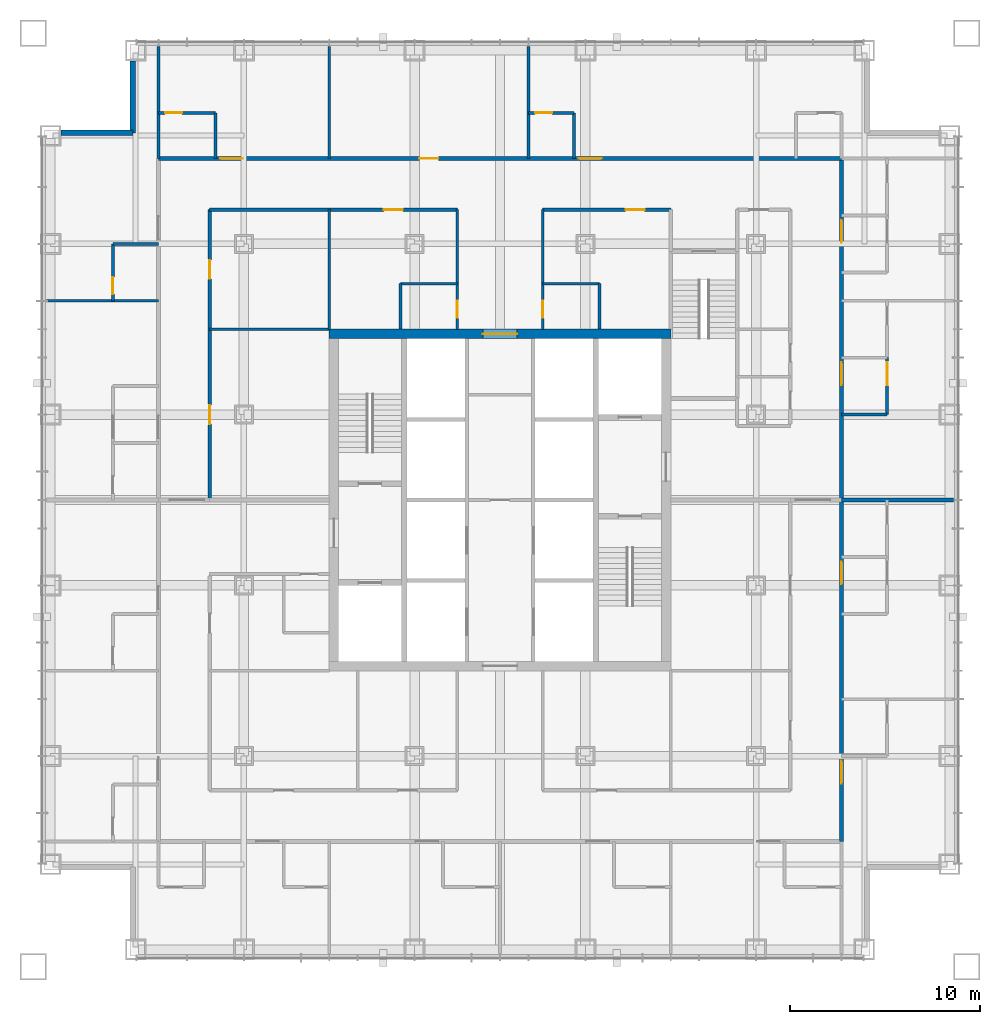
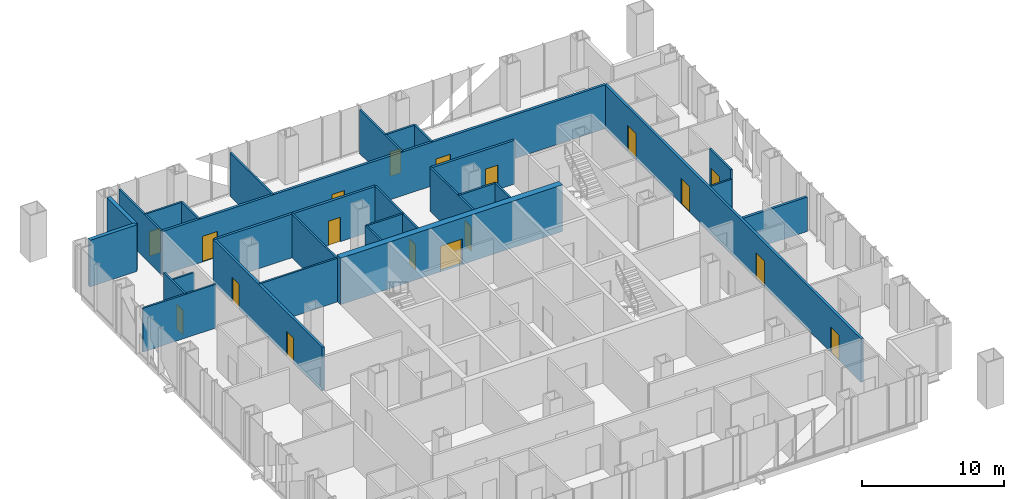
# One storey, part 11 of 13: 29 walls, 18 doors, 18 openings.
"""IFC4 building model written with IfcOpenShell, lengths in metres."""

import ifcopenshell
import ifcopenshell.guid

model = None  # the IFC model being written
_history = None  # IfcOwnerHistory: only IFC2X3 demands one
_inside = {}  # id of a spatial element -> (the spatial element, [elements in it])
_under = {}  # id of a project, library or spatial element -> (it, [spatial elements below it])
_declared = {}  # id of a project -> (the project, [libraries it declares])
_typed = {}  # id of a type object -> (the type object, [elements of that type])
_made_of = {}  # id of a material, layer set ... -> (it, [elements and type objects made of it])


def new_model(schema):
    """Start an empty IFC model of exactly this schema.

    Asked for "IFC4X3", IfcOpenShell would pick the latest addendum, in which some entities
    have other attributes; the version numbers below select the first issue.
    IFC2X3 requires an IfcOwnerHistory on every rooted entity: one is made here for all.
    """
    global model, _history
    if schema == "IFC4X3":
        model = ifcopenshell.file(schema_version=(4, 3, 0, 0))
    else:
        model = ifcopenshell.file(schema=schema)
    _inside.clear()
    _under.clear()
    _declared.clear()
    _typed.clear()
    _made_of.clear()
    _history = None
    if model.schema == "IFC2X3":
        org = make("IfcOrganization", Name="unknown")
        user = make(
            "IfcPersonAndOrganization",
            ThePerson=make("IfcPerson", FamilyName="unknown"),
            TheOrganization=org,
        )
        app = make(
            "IfcApplication",
            ApplicationDeveloper=org,
            Version="unknown",
            ApplicationFullName="unknown",
            ApplicationIdentifier="unknown",
        )
        _history = make(
            "IfcOwnerHistory",
            OwningUser=user,
            OwningApplication=app,
            ChangeAction="ADDED",
            CreationDate=0,
        )
    return model


def make(cls, **values):
    """One entity of the class cls with the attributes given. An attribute that is None is left unset."""
    return model.create_entity(
        cls, **{name: value for name, value in values.items() if value is not None}
    )


def rooted(cls, **values):
    """An entity with a GlobalId (a new one), such as an element, a storey or a relation."""
    return make(cls, GlobalId=ifcopenshell.guid.new(), OwnerHistory=_history, **values)


def si_unit(unit_type, name, prefix=None):
    """IfcSIUnit, for example si_unit("LENGTHUNIT", "METRE", prefix="MILLI")."""
    return make("IfcSIUnit", UnitType=unit_type, Prefix=prefix, Name=name)


def assignment(units):
    """IfcUnitAssignment: the units of a project."""
    return None if units is None else make("IfcUnitAssignment", Units=units)


def point(xyz):
    """IfcCartesianPoint."""
    return None if xyz is None else make("IfcCartesianPoint", Coordinates=xyz)


def direction(xyz):
    """IfcDirection."""
    return None if xyz is None else make("IfcDirection", DirectionRatios=xyz)


def frame(location, z_axis=None, x_axis=None):
    """IfcAxis2Placement3D, a coordinate frame: its origin and axes. An axis left out is left unset."""
    return make(
        "IfcAxis2Placement3D",
        Location=point(location),
        Axis=direction(z_axis),
        RefDirection=direction(x_axis),
    )


def frame_2d(location, x_axis=None):
    """IfcAxis2Placement2D, a coordinate frame in the plane: its origin and x axis."""
    return make(
        "IfcAxis2Placement2D", Location=point(location), RefDirection=direction(x_axis)
    )


def origin():
    """The frame at (0, 0, 0) with its axes left unset."""
    return frame((0.0, 0.0, 0.0))


def place(relative_to, where):
    """IfcLocalPlacement: puts the frame where relative to a parent placement (None: the world)."""
    return make(
        "IfcLocalPlacement", PlacementRelTo=relative_to, RelativePlacement=where
    )


def context(
    kind, dimensions, precision=None, world=None, true_north=None, identifier=None
):
    """IfcGeometricRepresentationContext, for example the 3D "Model" context."""
    return make(
        "IfcGeometricRepresentationContext",
        ContextIdentifier=identifier,
        ContextType=kind,
        CoordinateSpaceDimension=dimensions,
        Precision=precision,
        WorldCoordinateSystem=world,
        TrueNorth=true_north,
    )


def subcontext(parent, identifier, kind, view, scale=None):
    """IfcGeometricRepresentationSubContext, for example "Body" below "Model"."""
    return make(
        "IfcGeometricRepresentationSubContext",
        ContextIdentifier=identifier,
        ContextType=kind,
        ParentContext=parent,
        TargetScale=scale,
        TargetView=view,
    )


def project(units=None, contexts=None):
    """IfcProject with its units and contexts."""
    return rooted(
        "IfcProject",
        Name="project",
        RepresentationContexts=contexts,
        UnitsInContext=assignment(units),
    )


def spatial(cls, under=None, at=None, **own):
    """A site, building, storey or space (cls), placed at a placement, below another one or the project."""
    s = rooted(cls, ObjectPlacement=at, **own)
    if under is not None:
        _under.setdefault(under.id(), (under, []))[1].append(s)
    return s


def profile(cls, at=None, kind="AREA", **sizes):
    """A parametric profile (cls). Its sizes go by their IFC names, for example OverallWidth=200.0."""
    return make(cls, ProfileType=kind, Position=at, **sizes)


def rectangle(**sizes):
    """IfcRectangleProfileDef."""
    return profile("IfcRectangleProfileDef", **sizes)


def extrude(swept, where, along, depth):
    """IfcExtrudedAreaSolid: the profile swept, set in the frame where, extruded along a direction by depth."""
    return make(
        "IfcExtrudedAreaSolid",
        SweptArea=swept,
        Position=where,
        ExtrudedDirection=direction(along),
        Depth=depth,
    )


def shape(context_of_items, identifier, shape_type, items):
    """IfcShapeRepresentation: the items that make up one representation, for example the "Body"."""
    return make(
        "IfcShapeRepresentation",
        ContextOfItems=context_of_items,
        RepresentationIdentifier=identifier,
        RepresentationType=shape_type,
        Items=items,
    )


def material(Name=None, Category=None):
    """IfcMaterial."""
    return make("IfcMaterial", Name=Name, Category=Category)


def layer(
    of_material, thickness, ventilated=None, Name=None, Category=None, Priority=None
):
    """IfcMaterialLayer: one layer of a wall or slab, of a material (None: an air gap)."""
    return make(
        "IfcMaterialLayer",
        Material=of_material,
        LayerThickness=thickness,
        IsVentilated=ventilated,
        Name=Name,
        Category=Category,
        Priority=Priority,
    )


def layer_set(layers, Name=None):
    """IfcMaterialLayerSet."""
    return make("IfcMaterialLayerSet", MaterialLayers=layers, LayerSetName=Name)


def made_of(thing, what):
    """Note that an element or type object is made of a material, layer set ...; save() writes the relation."""
    if what is not None:
        _made_of.setdefault(what.id(), (what, []))[1].append(thing)
    return thing


def type_object(cls, material=None, **own):
    """A type object (cls), such as IfcWallType, which elements share."""
    return made_of(rooted(cls, **own), material)


def element(
    cls,
    number,
    at=None,
    inside=None,
    cuts=None,
    type_object=None,
    material=None,
    context=None,
    identifier="Body",
    shape_type=None,
    held_by="IfcProductDefinitionShape",
    body=None,
    shapes=None,
    **own,
):
    """One element of the class cls, such as IfcWall. Its Tag is "e" and its number.

    at: its placement. inside: the storey or other place that contains it. cuts: it is an
    opening in that element (IfcRelVoidsElement). A single representation is given by context,
    identifier, shape_type and body (its items); several are given by shapes. held_by: the class
    of the entity that holds the representations. save() writes the other relations.
    """
    e = rooted(cls, Tag="e%d" % number, ObjectPlacement=at, **own)
    if body is not None:
        shapes = [shape(context, identifier, shape_type, body)]
    if shapes is not None:
        e.Representation = make(held_by, Representations=shapes)
    if inside is not None:
        _inside.setdefault(inside.id(), (inside, []))[1].append(e)
    if cuts is not None:
        rooted(
            "IfcRelVoidsElement", RelatingBuildingElement=cuts, RelatedOpeningElement=e
        )
    if type_object is not None:
        _typed.setdefault(type_object.id(), (type_object, []))[1].append(e)
    return made_of(e, material)


def fill(opening, filler):
    """IfcRelFillsElement: the door or window that sits in an opening."""
    return rooted(
        "IfcRelFillsElement",
        RelatingOpeningElement=opening,
        RelatedBuildingElement=filler,
    )


def aggregate(whole, parts):
    """IfcRelAggregates: a whole, such as a stair, and the parts it consists of."""
    return rooted("IfcRelAggregates", RelatingObject=whole, RelatedObjects=parts)


def save(model, path):
    """Write the relations noted so far, then the file.

    IfcRelAggregates (storeys below a building ...), IfcRelContainedInSpatialStructure (elements
    in a storey), IfcRelDefinesByType, IfcRelAssociatesMaterial and IfcRelDeclares: one each for
    every whole, place, type object, material and project.
    """
    for whole, parts in _under.values():
        aggregate(whole, parts)
    for where, things in _inside.values():
        rooted(
            "IfcRelContainedInSpatialStructure",
            RelatedElements=things,
            RelatingStructure=where,
        )
    for kind, things in _typed.values():
        rooted("IfcRelDefinesByType", RelatedObjects=things, RelatingType=kind)
    for what, things in _made_of.values():
        rooted("IfcRelAssociatesMaterial", RelatedObjects=things, RelatingMaterial=what)
    for by, libraries in _declared.values():
        rooted("IfcRelDeclares", RelatingContext=by, RelatedDefinitions=libraries)
    model.write(path)


model = new_model("IFC4")

# Units and contexts
model_context = context("Model", 3, precision=1e-05, world=origin(), true_north=direction((0.0, 1.0)))
body_context = subcontext(model_context, "Body", "Model", "MODEL_VIEW")
ifc_project = project(units=[si_unit("LENGTHUNIT", "METRE"), si_unit("AREAUNIT", "SQUARE_METRE"), si_unit("VOLUMEUNIT", "CUBIC_METRE"), si_unit("PLANEANGLEUNIT", "RADIAN"), si_unit("MASSUNIT", "GRAM", prefix="KILO")], contexts=[model_context])

# Site, building, storey
site_placement = place(None, origin())
site = spatial("IfcSite", under=ifc_project, at=site_placement, CompositionType="ELEMENT")
building_placement = place(site_placement, origin())
building = spatial("IfcBuilding", under=site, at=building_placement, Name="Malebo Sky Hospital", CompositionType="ELEMENT")
storey_placement = place(building_placement, frame((0.0, 0.0, 160.0)))
storey = spatial("IfcBuildingStorey", under=building, at=storey_placement, Name="L38", CompositionType="ELEMENT", Elevation=160.0)

# Wall, opening, door
ifc_material_1 = material(Name="Concrete C80/95", Category="concrete")
ifc_layer_1 = layer(ifc_material_1, 0.5)
ifc_layer_set_1 = layer_set([ifc_layer_1], Name="CORE WALL 500")
wall_type_1 = type_object("IfcWallType", Name="CORE WALL 500", PredefinedType="SHEAR", material=ifc_layer_set_1)
wall_1_placement = place(storey_placement, frame((51.0, 70.75, 0.0), z_axis=(0.0, 0.0, 1.0), x_axis=(1.0, 0.0, 0.0)))
wall_1 = element("IfcWall", 1, at=wall_1_placement, inside=storey, type_object=wall_type_1, Name="Core wall N L38", PredefinedType="SHEAR", context=body_context, shape_type="SweptSolid", body=[
    extrude(rectangle(XDim=18.0, YDim=0.5, at=frame_2d((9.0, 0.0))), origin(), (0.0, 0.0, 1.0), 4.0),
])
opening_1_placement = place(wall_1_placement, frame((8.10009765625, 0.0, 0.0)))
opening_1 = element("IfcOpeningElement", 2, at=opening_1_placement, cuts=wall_1, Name="Opening D06", PredefinedType="OPENING", context=body_context, shape_type="SweptSolid", body=[
    extrude(rectangle(XDim=1.800048828125, YDim=2.199951171875, at=frame_2d((0.89990234375, 1.10009765625))), frame((0.0, 0.260009765625, 0.0), z_axis=(0.0, -1.0, 0.0), x_axis=(1.0, 0.0, 0.0)), (0.0, 0.0, 1.0), 0.52001953125),
])
ifc_material_2 = material(Name="Hardwood-faced door leaf in steel frame", Category="steel")
door_type_1 = type_object("IfcDoorType", Name="LOBBY DOOR PAIR 1800", OperationType="DOUBLE_DOOR_SINGLE_SWING", PredefinedType="DOOR", material=ifc_material_2)
door_1_placement = place(opening_1_placement, origin())
door_1 = element("IfcDoor", 3, at=door_1_placement, inside=storey, type_object=door_type_1, Name="vending room door north", OperationType="DOUBLE_DOOR_SINGLE_SWING", OverallHeight=2.199951171875, OverallWidth=1.800048828125, PredefinedType="DOOR", context=body_context, shape_type="SweptSolid", body=[
    extrude(rectangle(XDim=1.800048828125, YDim=2.199951171875, at=frame_2d((0.89990234375, 1.10009765625))), frame((0.0, 0.02490234375, 0.0), z_axis=(0.0, -1.0, 0.0), x_axis=(1.0, 0.0, 0.0)), (0.0, 0.0, 1.0), 0.050048828125),
])
fill(opening_1, door_1)

# Wall, openings, doors
ifc_material_3 = material(Name="Gypsum board on steel studs", Category="steel")
ifc_layer_2 = layer(ifc_material_3, 0.199951171875)
ifc_layer_set_2 = layer_set([ifc_layer_2], Name="CORRIDOR WALL 200")
wall_type_2 = type_object("IfcWallType", Name="CORRIDOR WALL 200", PredefinedType="PARTITIONING", material=ifc_layer_set_2)
wall_2_placement = place(storey_placement, frame((42.0, 80.0, 0.0), z_axis=(0.0, 0.0, 1.0), x_axis=(1.0, 0.0, 0.0)))
wall_2 = element("IfcWall", 4, at=wall_2_placement, inside=storey, type_object=wall_type_2, Name="Corridor Wall 200 NCO", PredefinedType="PARTITIONING", context=body_context, shape_type="SweptSolid", body=[
    extrude(rectangle(XDim=36.0, YDim=0.199951171875, at=frame_2d((18.0, 0.0))), origin(), (0.0, 0.0, 1.0), 3.75),
])
opening_2_placement = place(wall_2_placement, frame((3.25, 0.0, 0.0)))
opening_2 = element("IfcOpeningElement", 5, at=opening_2_placement, cuts=wall_2, Name="Opening D01", PredefinedType="OPENING", context=body_context, shape_type="SweptSolid", body=[
    extrude(rectangle(XDim=1.199951171875, YDim=2.199951171875, at=frame_2d((0.60009765625, 1.10009765625))), frame((0.0, 0.10986328125, 0.0), z_axis=(0.0, -1.0, 0.0), x_axis=(1.0, 0.0, 0.0)), (0.0, 0.0, 1.0), 0.219970703125),
])
opening_3_placement = place(wall_2_placement, frame((13.75, 0.0, 0.0)))
opening_3 = element("IfcOpeningElement", 6, at=opening_3_placement, cuts=wall_2, Name="Opening D03", PredefinedType="OPENING", context=body_context, shape_type="SweptSolid", body=[
    extrude(rectangle(XDim=1.0, YDim=2.10009765625, at=frame_2d((0.5, 1.050048828125))), frame((0.0, 0.10986328125, 0.0), z_axis=(0.0, -1.0, 0.0), x_axis=(1.0, 0.0, 0.0)), (0.0, 0.0, 1.0), 0.219970703125),
])
opening_4_placement = place(wall_2_placement, frame((22.14990234375, 0.0, 0.0)))
opening_4 = element("IfcOpeningElement", 7, at=opening_4_placement, cuts=wall_2, Name="Opening D01", PredefinedType="OPENING", context=body_context, shape_type="SweptSolid", body=[
    extrude(rectangle(XDim=1.199951171875, YDim=2.199951171875, at=frame_2d((0.60009765625, 1.10009765625))), frame((0.0, 0.10986328125, 0.0), z_axis=(0.0, -1.0, 0.0), x_axis=(1.0, 0.0, 0.0)), (0.0, 0.0, 1.0), 0.219970703125),
])
door_type_2 = type_object("IfcDoorType", Name="BED DOOR 1200", OperationType="SINGLE_SWING_LEFT", PredefinedType="DOOR", material=ifc_material_2)
door_2_placement = place(opening_2_placement, origin())
door_2 = element("IfcDoor", 8, at=door_2_placement, inside=storey, type_object=door_type_2, Name="Two-bed room door", OperationType="SINGLE_SWING_LEFT", OverallHeight=2.199951171875, OverallWidth=1.199951171875, PredefinedType="DOOR", context=body_context, shape_type="SweptSolid", body=[
    extrude(rectangle(XDim=1.199951171875, YDim=2.199951171875, at=frame_2d((0.60009765625, 1.10009765625))), frame((0.0, 0.02490234375, 0.0), z_axis=(0.0, -1.0, 0.0), x_axis=(1.0, 0.0, 0.0)), (0.0, 0.0, 1.0), 0.050048828125),
])
fill(opening_2, door_2)
door_3_placement = place(opening_4_placement, origin())
door_3 = element("IfcDoor", 9, at=door_3_placement, inside=storey, type_object=door_type_2, Name="Four-bed bay door", OperationType="SINGLE_SWING_LEFT", OverallHeight=2.199951171875, OverallWidth=1.199951171875, PredefinedType="DOOR", context=body_context, shape_type="SweptSolid", body=[
    extrude(rectangle(XDim=1.199951171875, YDim=2.199951171875, at=frame_2d((0.60009765625, 1.10009765625))), frame((0.0, 0.02490234375, 0.0), z_axis=(0.0, -1.0, 0.0), x_axis=(1.0, 0.0, 0.0)), (0.0, 0.0, 1.0), 0.050048828125),
])
fill(opening_4, door_3)
door_type_3 = type_object("IfcDoorType", Name="ROOM DOOR 1000", OperationType="SINGLE_SWING_LEFT", PredefinedType="DOOR", material=ifc_material_2)
door_4_placement = place(opening_3_placement, origin())
door_4 = element("IfcDoor", 10, at=door_4_placement, inside=storey, type_object=door_type_3, Name="Patient lounge door", OperationType="SINGLE_SWING_LEFT", OverallHeight=2.10009765625, OverallWidth=1.0, PredefinedType="DOOR", context=body_context, shape_type="SweptSolid", body=[
    extrude(rectangle(XDim=1.0, YDim=2.10009765625, at=frame_2d((0.5, 1.050048828125))), frame((0.0, 0.02490234375, 0.0), z_axis=(0.0, -1.0, 0.0), x_axis=(1.0, 0.0, 0.0)), (0.0, 0.0, 1.0), 0.050048828125),
])
fill(opening_3, door_4)

# Wall, opening, door
wall_3_placement = place(storey_placement, frame((44.699951171875, 77.300048828125, 0.0), z_axis=(0.0, 0.0, 1.0), x_axis=(1.0, 0.0, 0.0)))
wall_3 = element("IfcWall", 11, at=wall_3_placement, inside=storey, type_object=wall_type_2, Name="Corridor Wall 200 NCI1", PredefinedType="PARTITIONING", context=body_context, shape_type="SweptSolid", body=[
    extrude(rectangle(XDim=13.050048828125, YDim=0.199951171875, at=frame_2d((6.52490234375, 0.0))), origin(), (0.0, 0.0, 1.0), 3.75),
])
opening_5_placement = place(wall_3_placement, frame((9.175048828125, 0.0, 0.0)))
opening_5 = element("IfcOpeningElement", 12, at=opening_5_placement, cuts=wall_3, Name="Opening D03", PredefinedType="OPENING", context=body_context, shape_type="SweptSolid", body=[
    extrude(rectangle(XDim=1.0, YDim=2.10009765625, at=frame_2d((0.5, 1.050048828125))), frame((0.0, 0.10986328125, 0.0), z_axis=(0.0, -1.0, 0.0), x_axis=(1.0, 0.0, 0.0)), (0.0, 0.0, 1.0), 0.219970703125),
])
door_5_placement = place(opening_5_placement, origin())
door_5 = element("IfcDoor", 13, at=door_5_placement, inside=storey, type_object=door_type_3, Name="Clean utility room door", OperationType="SINGLE_SWING_LEFT", OverallHeight=2.10009765625, OverallWidth=1.0, PredefinedType="DOOR", context=body_context, shape_type="SweptSolid", body=[
    extrude(rectangle(XDim=1.0, YDim=2.10009765625, at=frame_2d((0.5, 1.050048828125))), frame((0.0, 0.02490234375, 0.0), z_axis=(0.0, -1.0, 0.0), x_axis=(1.0, 0.0, 0.0)), (0.0, 0.0, 1.0), 0.050048828125),
])
fill(opening_5, door_5)

wall_4_placement = place(storey_placement, frame((62.25, 77.300048828125, 0.0), z_axis=(0.0, 0.0, 1.0), x_axis=(1.0, 0.0, 0.0)))
wall_4 = element("IfcWall", 14, at=wall_4_placement, inside=storey, type_object=wall_type_2, Name="Corridor Wall 200 NCI2", PredefinedType="PARTITIONING", context=body_context, shape_type="SweptSolid", body=[
    extrude(rectangle(XDim=6.75, YDim=0.199951171875, at=frame_2d((3.375, 0.0))), origin(), (0.0, 0.0, 1.0), 3.75),
])
opening_6_placement = place(wall_4_placement, frame((4.375, 0.0, 0.0)))
opening_6 = element("IfcOpeningElement", 15, at=opening_6_placement, cuts=wall_4, Name="Opening D03", PredefinedType="OPENING", context=body_context, shape_type="SweptSolid", body=[
    extrude(rectangle(XDim=1.0, YDim=2.10009765625, at=frame_2d((0.5, 1.050048828125))), frame((0.0, 0.10986328125, 0.0), z_axis=(0.0, -1.0, 0.0), x_axis=(1.0, 0.0, 0.0)), (0.0, 0.0, 1.0), 0.219970703125),
])
door_6_placement = place(opening_6_placement, origin())
door_6 = element("IfcDoor", 16, at=door_6_placement, inside=storey, type_object=door_type_3, Name="Treatment room door", OperationType="SINGLE_SWING_RIGHT", OverallHeight=2.10009765625, OverallWidth=1.0, PredefinedType="DOOR", context=body_context, shape_type="SweptSolid", body=[
    extrude(rectangle(XDim=1.0, YDim=2.10009765625, at=frame_2d((0.5, 1.050048828125))), frame((0.0, 0.02490234375, 0.0), z_axis=(0.0, -1.0, 0.0), x_axis=(1.0, 0.0, 0.0)), (0.0, 0.0, 1.0), 0.050048828125),
])
fill(opening_6, door_6)

# Wall, openings, doors
wall_5_placement = place(storey_placement, frame((44.699951171875, 62.0, 0.0), z_axis=(0.0, 0.0, 1.0), x_axis=(0.0, 1.0, 0.0)))
wall_5 = element("IfcWall", 17, at=wall_5_placement, inside=storey, type_object=wall_type_2, Name="Corridor Wall 200 WCI2", PredefinedType="PARTITIONING", context=body_context, shape_type="SweptSolid", body=[
    extrude(rectangle(XDim=15.300048828125, YDim=0.199951171875, at=frame_2d((7.64990234375, 0.0))), origin(), (0.0, 0.0, 1.0), 3.75),
])
opening_7_placement = place(wall_5_placement, frame((4.0, 0.0, 0.0)))
opening_7 = element("IfcOpeningElement", 18, at=opening_7_placement, cuts=wall_5, Name="Opening D03", PredefinedType="OPENING", context=body_context, shape_type="SweptSolid", body=[
    extrude(rectangle(XDim=1.0, YDim=2.10009765625, at=frame_2d((0.5, 1.050048828125))), frame((0.0, 0.10986328125, 0.0), z_axis=(0.0, -1.0, 0.0), x_axis=(1.0, 0.0, 0.0)), (0.0, 0.0, 1.0), 0.219970703125),
])
opening_8_placement = place(wall_5_placement, frame((11.64990234375, 0.0, 0.0)))
opening_8 = element("IfcOpeningElement", 19, at=opening_8_placement, cuts=wall_5, Name="Opening D03", PredefinedType="OPENING", context=body_context, shape_type="SweptSolid", body=[
    extrude(rectangle(XDim=1.0, YDim=2.10009765625, at=frame_2d((0.5, 1.050048828125))), frame((0.0, 0.10986328125, 0.0), z_axis=(0.0, -1.0, 0.0), x_axis=(1.0, 0.0, 0.0)), (0.0, 0.0, 1.0), 0.219970703125),
])
door_7_placement = place(opening_7_placement, origin())
door_7 = element("IfcDoor", 20, at=door_7_placement, inside=storey, type_object=door_type_3, Name="Nurse station door", OperationType="SINGLE_SWING_LEFT", OverallHeight=2.10009765625, OverallWidth=1.0, PredefinedType="DOOR", context=body_context, shape_type="SweptSolid", body=[
    extrude(rectangle(XDim=1.0, YDim=2.10009765625, at=frame_2d((0.5, 1.050048828125))), frame((0.0, 0.02490234375, 0.0), z_axis=(0.0, -1.0, 0.0), x_axis=(1.0, 0.0, 0.0)), (0.0, 0.0, 1.0), 0.050048828125),
])
fill(opening_7, door_7)
door_8_placement = place(opening_8_placement, origin())
door_8 = element("IfcDoor", 21, at=door_8_placement, inside=storey, type_object=door_type_3, Name="Ward pantry door", OperationType="SINGLE_SWING_RIGHT", OverallHeight=2.10009765625, OverallWidth=1.0, PredefinedType="DOOR", context=body_context, shape_type="SweptSolid", body=[
    extrude(rectangle(XDim=1.0, YDim=2.10009765625, at=frame_2d((0.5, 1.050048828125))), frame((0.0, 0.02490234375, 0.0), z_axis=(0.0, -1.0, 0.0), x_axis=(1.0, 0.0, 0.0)), (0.0, 0.0, 1.0), 0.050048828125),
])
fill(opening_8, door_8)

wall_6_placement = place(storey_placement, frame((78.0, 80.0, 0.0), z_axis=(0.0, 0.0, 1.0), x_axis=(0.0, -1.0, 0.0)))
wall_6 = element("IfcWall", 22, at=wall_6_placement, inside=storey, type_object=wall_type_2, Name="Corridor Wall 200 ECO", PredefinedType="PARTITIONING", context=body_context, shape_type="SweptSolid", body=[
    extrude(rectangle(XDim=36.0, YDim=0.199951171875, at=frame_2d((18.0, 0.0))), origin(), (0.0, 0.0, 1.0), 3.75),
])
opening_9_placement = place(wall_6_placement, frame((3.25, 0.0, 0.0)))
opening_9 = element("IfcOpeningElement", 23, at=opening_9_placement, cuts=wall_6, Name="Opening D18", PredefinedType="OPENING", context=body_context, shape_type="SweptSolid", body=[
    extrude(rectangle(XDim=1.199951171875, YDim=2.199951171875, at=frame_2d((0.60009765625, 1.10009765625))), frame((0.0, 0.10986328125, 0.0), z_axis=(0.0, -1.0, 0.0), x_axis=(1.0, 0.0, 0.0)), (0.0, 0.0, 1.0), 0.219970703125),
])
opening_10_placement = place(wall_6_placement, frame((10.75, 0.0, 0.0)))
opening_10 = element("IfcOpeningElement", 24, at=opening_10_placement, cuts=wall_6, Name="Opening D18", PredefinedType="OPENING", context=body_context, shape_type="SweptSolid", body=[
    extrude(rectangle(XDim=1.199951171875, YDim=2.199951171875, at=frame_2d((0.60009765625, 1.10009765625))), frame((0.0, 0.10986328125, 0.0), z_axis=(0.0, -1.0, 0.0), x_axis=(1.0, 0.0, 0.0)), (0.0, 0.0, 1.0), 0.219970703125),
])
opening_11_placement = place(wall_6_placement, frame((21.25, 0.0, 0.0)))
opening_11 = element("IfcOpeningElement", 25, at=opening_11_placement, cuts=wall_6, Name="Opening D18", PredefinedType="OPENING", context=body_context, shape_type="SweptSolid", body=[
    extrude(rectangle(XDim=1.199951171875, YDim=2.199951171875, at=frame_2d((0.60009765625, 1.10009765625))), frame((0.0, 0.10986328125, 0.0), z_axis=(0.0, -1.0, 0.0), x_axis=(1.0, 0.0, 0.0)), (0.0, 0.0, 1.0), 0.219970703125),
])
opening_12_placement = place(wall_6_placement, frame((31.75, 0.0, 0.0)))
opening_12 = element("IfcOpeningElement", 26, at=opening_12_placement, cuts=wall_6, Name="Opening D01", PredefinedType="OPENING", context=body_context, shape_type="SweptSolid", body=[
    extrude(rectangle(XDim=1.199951171875, YDim=2.199951171875, at=frame_2d((0.60009765625, 1.10009765625))), frame((0.0, 0.10986328125, 0.0), z_axis=(0.0, -1.0, 0.0), x_axis=(1.0, 0.0, 0.0)), (0.0, 0.0, 1.0), 0.219970703125),
])
door_type_4 = type_object("IfcDoorType", Name="ANTEROOM DOOR 1200", OperationType="SINGLE_SWING_LEFT", PredefinedType="DOOR", material=ifc_material_2)
door_9_placement = place(opening_9_placement, origin())
door_9 = element("IfcDoor", 27, at=door_9_placement, inside=storey, type_object=door_type_4, Name="Anteroom door", OperationType="SINGLE_SWING_LEFT", OverallHeight=2.199951171875, OverallWidth=1.199951171875, PredefinedType="DOOR", context=body_context, shape_type="SweptSolid", body=[
    extrude(rectangle(XDim=1.199951171875, YDim=2.199951171875, at=frame_2d((0.60009765625, 1.10009765625))), frame((0.0, 0.02490234375, 0.0), z_axis=(0.0, -1.0, 0.0), x_axis=(1.0, 0.0, 0.0)), (0.0, 0.0, 1.0), 0.050048828125),
])
fill(opening_9, door_9)
door_10_placement = place(opening_10_placement, origin())
door_10 = element("IfcDoor", 28, at=door_10_placement, inside=storey, type_object=door_type_4, Name="Anteroom door", OperationType="SINGLE_SWING_LEFT", OverallHeight=2.199951171875, OverallWidth=1.199951171875, PredefinedType="DOOR", context=body_context, shape_type="SweptSolid", body=[
    extrude(rectangle(XDim=1.199951171875, YDim=2.199951171875, at=frame_2d((0.60009765625, 1.10009765625))), frame((0.0, 0.02490234375, 0.0), z_axis=(0.0, -1.0, 0.0), x_axis=(1.0, 0.0, 0.0)), (0.0, 0.0, 1.0), 0.050048828125),
])
fill(opening_10, door_10)
door_11_placement = place(opening_11_placement, origin())
door_11 = element("IfcDoor", 29, at=door_11_placement, inside=storey, type_object=door_type_4, Name="Anteroom door", OperationType="SINGLE_SWING_LEFT", OverallHeight=2.199951171875, OverallWidth=1.199951171875, PredefinedType="DOOR", context=body_context, shape_type="SweptSolid", body=[
    extrude(rectangle(XDim=1.199951171875, YDim=2.199951171875, at=frame_2d((0.60009765625, 1.10009765625))), frame((0.0, 0.02490234375, 0.0), z_axis=(0.0, -1.0, 0.0), x_axis=(1.0, 0.0, 0.0)), (0.0, 0.0, 1.0), 0.050048828125),
])
fill(opening_11, door_11)
door_12_placement = place(opening_12_placement, origin())
door_12 = element("IfcDoor", 30, at=door_12_placement, inside=storey, type_object=door_type_2, Name="Two-bed room door", OperationType="SINGLE_SWING_LEFT", OverallHeight=2.199951171875, OverallWidth=1.199951171875, PredefinedType="DOOR", context=body_context, shape_type="SweptSolid", body=[
    extrude(rectangle(XDim=1.199951171875, YDim=2.199951171875, at=frame_2d((0.60009765625, 1.10009765625))), frame((0.0, 0.02490234375, 0.0), z_axis=(0.0, -1.0, 0.0), x_axis=(1.0, 0.0, 0.0)), (0.0, 0.0, 1.0), 0.050048828125),
])
fill(opening_12, door_12)

# Walls
ifc_material_4 = material(Name="Anodised aluminium rainscreen on steel framing", Category="steel")
ifc_layer_3 = layer(ifc_material_4, 0.300048828125)
ifc_layer_set_3 = layer_set([ifc_layer_3], Name="NOTCH RAINSCREEN WALL 300")
wall_type_3 = type_object("IfcWallType", Name="NOTCH RAINSCREEN WALL 300", PredefinedType="ELEMENTEDWALL", material=ifc_layer_set_3)
for number, where, z_axis, x_axis, name in (
    (31, (36.85009765625, 81.35009765625, 0.0), (0.0, 0.0, 1.0), (1.0, 0.0, 0.0), "Notch rainscreen wall W1 L38"),
    (32, (40.64990234375, 81.35009765625, 0.0), (0.0, 0.0, 1.0), (0.0, 1.0, 0.0), "Notch rainscreen wall W2 L38"),
):
    element("IfcWall", number, at=place(storey_placement, frame(where, z_axis=z_axis, x_axis=x_axis)), inside=storey, type_object=wall_type_3, Name=name, PredefinedType="ELEMENTEDWALL", context=body_context, shape_type="SweptSolid", body=[
        extrude(rectangle(XDim=3.7998046875, YDim=0.300048828125, at=frame_2d((1.89990234375, 0.0))), origin(), (0.0, 0.0, 1.0), 4.0),
    ])
ifc_layer_4 = layer(ifc_material_3, 0.14990234375)
ifc_layer_set_4 = layer_set([ifc_layer_4], Name="PARTITION 150")
wall_type_4 = type_object("IfcWallType", Name="PARTITION 150", PredefinedType="PARTITIONING", material=ifc_layer_set_4)
for number, where, z_axis, x_axis, name in (
    (33, (51.0, 80.0, 0.0), (0.0, 0.0, 1.0), (0.0, 1.0, 0.0), "Partition 150 NP-9.0"),
    (34, (61.5, 80.0, 0.0), (0.0, 0.0, 1.0), (0.0, 1.0, 0.0), "Partition 150 NP+1.5"),
    (35, (42.0, 80.0, 0.0), (0.0, 0.0, 1.0), (0.0, 1.0, 0.0), "Partition 150 NP0"),
):
    element("IfcWall", number, at=place(storey_placement, frame(where, z_axis=z_axis, x_axis=x_axis)), inside=storey, type_object=wall_type_4, Name=name, PredefinedType="PARTITIONING", context=body_context, shape_type="SweptSolid", body=[
        extrude(rectangle(XDim=5.909912109375, YDim=0.14990234375, at=frame_2d((2.955078125, 0.0))), origin(), (0.0, 0.0, 1.0), 3.75),
    ])

# Wall, opening, door
wall_7_placement = place(storey_placement, frame((42.0, 82.39990234375, 0.0), z_axis=(0.0, 0.0, 1.0), x_axis=(1.0, 0.0, 0.0)))
wall_7 = element("IfcWall", 36, at=wall_7_placement, inside=storey, type_object=wall_type_4, Name="Partition 150 NE0F", PredefinedType="PARTITIONING", context=body_context, shape_type="SweptSolid", body=[
    extrude(rectangle(XDim=3.0, YDim=0.14990234375, at=frame_2d((1.5, 0.0))), origin(), (0.0, 0.0, 1.0), 3.75),
])
opening_13_placement = place(wall_7_placement, frame((0.35009765625, 0.0, 0.0)))
opening_13 = element("IfcOpeningElement", 37, at=opening_13_placement, cuts=wall_7, Name="Opening D02", PredefinedType="OPENING", context=body_context, shape_type="SweptSolid", body=[
    extrude(rectangle(XDim=0.89990234375, YDim=2.10009765625, at=frame_2d((0.449951171875, 1.050048828125))), frame((0.0, 0.0849609375, 0.0), z_axis=(0.0, -1.0, 0.0), x_axis=(1.0, 0.0, 0.0)), (0.0, 0.0, 1.0), 0.169921875),
])
door_type_5 = type_object("IfcDoorType", Name="EN-SUITE DOOR 900", OperationType="SINGLE_SWING_LEFT", PredefinedType="DOOR", material=ifc_material_2)
door_13_placement = place(opening_13_placement, origin())
door_13 = element("IfcDoor", 38, at=door_13_placement, inside=storey, type_object=door_type_5, Name="En-suite door", OperationType="SINGLE_SWING_LEFT", OverallHeight=2.10009765625, OverallWidth=0.89990234375, PredefinedType="DOOR", context=body_context, shape_type="SweptSolid", body=[
    extrude(rectangle(XDim=0.89990234375, YDim=2.10009765625, at=frame_2d((0.449951171875, 1.050048828125))), frame((0.0, 0.02490234375, 0.0), z_axis=(0.0, -1.0, 0.0), x_axis=(1.0, 0.0, 0.0)), (0.0, 0.0, 1.0), 0.050048828125),
])
fill(opening_13, door_13)

# Wall
wall_8_placement = place(storey_placement, frame((45.0, 80.0, 0.0), z_axis=(0.0, 0.0, 1.0), x_axis=(0.0, 1.0, 0.0)))
element("IfcWall", 39, at=wall_8_placement, inside=storey, type_object=wall_type_4, Name="Partition 150 NE0S", PredefinedType="PARTITIONING", context=body_context, shape_type="SweptSolid", body=[
    extrude(rectangle(XDim=2.39990234375, YDim=0.14990234375, at=frame_2d((1.199951171875, 0.0))), origin(), (0.0, 0.0, 1.0), 3.75),
])

# Wall, opening, door
wall_9_placement = place(storey_placement, frame((61.5, 82.39990234375, 0.0), z_axis=(0.0, 0.0, 1.0), x_axis=(1.0, 0.0, 0.0)))
wall_9 = element("IfcWall", 40, at=wall_9_placement, inside=storey, type_object=wall_type_4, Name="Partition 150 NE2F", PredefinedType="PARTITIONING", context=body_context, shape_type="SweptSolid", body=[
    extrude(rectangle(XDim=2.39990234375, YDim=0.14990234375, at=frame_2d((1.199951171875, 0.0))), origin(), (0.0, 0.0, 1.0), 3.75),
])
opening_14_placement = place(wall_9_placement, frame((0.35009765625, 0.0, 0.0)))
opening_14 = element("IfcOpeningElement", 41, at=opening_14_placement, cuts=wall_9, Name="Opening D02", PredefinedType="OPENING", context=body_context, shape_type="SweptSolid", body=[
    extrude(rectangle(XDim=0.89990234375, YDim=2.10009765625, at=frame_2d((0.449951171875, 1.050048828125))), frame((0.0, 0.0849609375, 0.0), z_axis=(0.0, -1.0, 0.0), x_axis=(1.0, 0.0, 0.0)), (0.0, 0.0, 1.0), 0.169921875),
])
door_14_placement = place(opening_14_placement, origin())
door_14 = element("IfcDoor", 42, at=door_14_placement, inside=storey, type_object=door_type_5, Name="En-suite door", OperationType="SINGLE_SWING_LEFT", OverallHeight=2.10009765625, OverallWidth=0.89990234375, PredefinedType="DOOR", context=body_context, shape_type="SweptSolid", body=[
    extrude(rectangle(XDim=0.89990234375, YDim=2.10009765625, at=frame_2d((0.449951171875, 1.050048828125))), frame((0.0, 0.02490234375, 0.0), z_axis=(0.0, -1.0, 0.0), x_axis=(1.0, 0.0, 0.0)), (0.0, 0.0, 1.0), 0.050048828125),
])
fill(opening_14, door_14)

# Walls
wall_10_placement = place(storey_placement, frame((63.89990234375, 80.0, 0.0), z_axis=(0.0, 0.0, 1.0), x_axis=(0.0, 1.0, 0.0)))
element("IfcWall", 43, at=wall_10_placement, inside=storey, type_object=wall_type_4, Name="Partition 150 NE2S", PredefinedType="PARTITIONING", context=body_context, shape_type="SweptSolid", body=[
    extrude(rectangle(XDim=2.39990234375, YDim=0.14990234375, at=frame_2d((1.199951171875, 0.0))), origin(), (0.0, 0.0, 1.0), 3.75),
])
wall_11_placement = place(storey_placement, frame((51.0, 71.0, 0.0), z_axis=(0.0, 0.0, 1.0), x_axis=(0.0, 1.0, 0.0)))
element("IfcWall", 44, at=wall_11_placement, inside=storey, type_object=wall_type_4, Name="Partition 150 NSP0", PredefinedType="PARTITIONING", context=body_context, shape_type="SweptSolid", body=[
    extrude(rectangle(XDim=6.300048828125, YDim=0.14990234375, at=frame_2d((3.14990234375, 0.0))), origin(), (0.0, 0.0, 1.0), 3.75),
])

# Wall, opening, door
wall_12_placement = place(storey_placement, frame((57.75, 71.0, 0.0), z_axis=(0.0, 0.0, 1.0), x_axis=(0.0, 1.0, 0.0)))
wall_12 = element("IfcWall", 45, at=wall_12_placement, inside=storey, type_object=wall_type_4, Name="Partition 150 NSPA", PredefinedType="PARTITIONING", context=body_context, shape_type="SweptSolid", body=[
    extrude(rectangle(XDim=6.300048828125, YDim=0.14990234375, at=frame_2d((3.14990234375, 0.0))), origin(), (0.0, 0.0, 1.0), 3.75),
])
opening_15_placement = place(wall_12_placement, frame((0.60009765625, 0.0, 0.0)))
opening_15 = element("IfcOpeningElement", 46, at=opening_15_placement, cuts=wall_12, Name="Opening D04", PredefinedType="OPENING", context=body_context, shape_type="SweptSolid", body=[
    extrude(rectangle(XDim=0.89990234375, YDim=2.10009765625, at=frame_2d((0.449951171875, 1.050048828125))), frame((0.0, 0.0849609375, 0.0), z_axis=(0.0, -1.0, 0.0), x_axis=(1.0, 0.0, 0.0)), (0.0, 0.0, 1.0), 0.169921875),
])
door_type_6 = type_object("IfcDoorType", Name="ROOM DOOR 900", OperationType="SINGLE_SWING_LEFT", PredefinedType="DOOR", material=ifc_material_2)
door_15_placement = place(opening_15_placement, origin())
door_15 = element("IfcDoor", 47, at=door_15_placement, inside=storey, type_object=door_type_6, Name="Staff WC door", OperationType="SINGLE_SWING_LEFT", OverallHeight=2.10009765625, OverallWidth=0.89990234375, PredefinedType="DOOR", context=body_context, shape_type="SweptSolid", body=[
    extrude(rectangle(XDim=0.89990234375, YDim=2.10009765625, at=frame_2d((0.449951171875, 1.050048828125))), frame((0.0, 0.02490234375, 0.0), z_axis=(0.0, -1.0, 0.0), x_axis=(1.0, 0.0, 0.0)), (0.0, 0.0, 1.0), 0.050048828125),
])
fill(opening_15, door_15)

wall_13_placement = place(storey_placement, frame((62.25, 71.0, 0.0), z_axis=(0.0, 0.0, 1.0), x_axis=(0.0, 1.0, 0.0)))
wall_13 = element("IfcWall", 48, at=wall_13_placement, inside=storey, type_object=wall_type_4, Name="Partition 150 NSPB", PredefinedType="PARTITIONING", context=body_context, shape_type="SweptSolid", body=[
    extrude(rectangle(XDim=6.300048828125, YDim=0.14990234375, at=frame_2d((3.14990234375, 0.0))), origin(), (0.0, 0.0, 1.0), 3.75),
])
opening_16_placement = place(wall_13_placement, frame((0.60009765625, 0.0, 0.0)))
opening_16 = element("IfcOpeningElement", 49, at=opening_16_placement, cuts=wall_13, Name="Opening D04", PredefinedType="OPENING", context=body_context, shape_type="SweptSolid", body=[
    extrude(rectangle(XDim=0.89990234375, YDim=2.10009765625, at=frame_2d((0.449951171875, 1.050048828125))), frame((0.0, 0.0849609375, 0.0), z_axis=(0.0, -1.0, 0.0), x_axis=(1.0, 0.0, 0.0)), (0.0, 0.0, 1.0), 0.169921875),
])
door_16_placement = place(opening_16_placement, origin())
door_16 = element("IfcDoor", 50, at=door_16_placement, inside=storey, type_object=door_type_6, Name="Accessible WC door", OperationType="SINGLE_SWING_LEFT", OverallHeight=2.10009765625, OverallWidth=0.89990234375, PredefinedType="DOOR", context=body_context, shape_type="SweptSolid", body=[
    extrude(rectangle(XDim=0.89990234375, YDim=2.10009765625, at=frame_2d((0.449951171875, 1.050048828125))), frame((0.0, 0.02490234375, 0.0), z_axis=(0.0, -1.0, 0.0), x_axis=(1.0, 0.0, 0.0)), (0.0, 0.0, 1.0), 0.050048828125),
])
fill(opening_16, door_16)

# Walls
wall_14_placement = place(storey_placement, frame((54.75, 73.39990234375, 0.0), z_axis=(0.0, 0.0, 1.0), x_axis=(1.0, 0.0, 0.0)))
element("IfcWall", 51, at=wall_14_placement, inside=storey, type_object=wall_type_4, Name="Partition 150 NSX0", PredefinedType="PARTITIONING", context=body_context, shape_type="SweptSolid", body=[
    extrude(rectangle(XDim=3.0, YDim=0.14990234375, at=frame_2d((1.5, 0.0))), origin(), (0.0, 0.0, 1.0), 3.75),
])
wall_15_placement = place(storey_placement, frame((54.75, 71.0, 0.0), z_axis=(0.0, 0.0, 1.0), x_axis=(0.0, 1.0, 0.0)))
element("IfcWall", 52, at=wall_15_placement, inside=storey, type_object=wall_type_4, Name="Partition 150 NSY0", PredefinedType="PARTITIONING", context=body_context, shape_type="SweptSolid", body=[
    extrude(rectangle(XDim=2.39990234375, YDim=0.14990234375, at=frame_2d((1.199951171875, 0.0))), origin(), (0.0, 0.0, 1.0), 3.75),
])
wall_16_placement = place(storey_placement, frame((62.25, 73.39990234375, 0.0), z_axis=(0.0, 0.0, 1.0), x_axis=(1.0, 0.0, 0.0)))
element("IfcWall", 53, at=wall_16_placement, inside=storey, type_object=wall_type_4, Name="Partition 150 NSX1", PredefinedType="PARTITIONING", context=body_context, shape_type="SweptSolid", body=[
    extrude(rectangle(XDim=3.0, YDim=0.14990234375, at=frame_2d((1.5, 0.0))), origin(), (0.0, 0.0, 1.0), 3.75),
])
wall_17_placement = place(storey_placement, frame((65.25, 71.0, 0.0), z_axis=(0.0, 0.0, 1.0), x_axis=(0.0, 1.0, 0.0)))
element("IfcWall", 54, at=wall_17_placement, inside=storey, type_object=wall_type_4, Name="Partition 150 NSY1", PredefinedType="PARTITIONING", context=body_context, shape_type="SweptSolid", body=[
    extrude(rectangle(XDim=2.39990234375, YDim=0.14990234375, at=frame_2d((1.199951171875, 0.0))), origin(), (0.0, 0.0, 1.0), 3.75),
])
wall_18_placement = place(storey_placement, frame((42.0, 72.5, 0.0), z_axis=(0.0, 0.0, 1.0), x_axis=(-1.0, 0.0, 0.0)))
element("IfcWall", 55, at=wall_18_placement, inside=storey, type_object=wall_type_4, Name="Partition 150 WP+10.5", PredefinedType="PARTITIONING", context=body_context, shape_type="SweptSolid", body=[
    extrude(rectangle(XDim=5.909912109375, YDim=0.14990234375, at=frame_2d((2.955078125, 0.0))), origin(), (0.0, 0.0, 1.0), 3.75),
])

# Wall, opening, door
wall_19_placement = place(storey_placement, frame((39.60009765625, 72.5, 0.0), z_axis=(0.0, 0.0, 1.0), x_axis=(0.0, 1.0, 0.0)))
wall_19 = element("IfcWall", 56, at=wall_19_placement, inside=storey, type_object=wall_type_4, Name="Partition 150 WE3F", PredefinedType="PARTITIONING", context=body_context, shape_type="SweptSolid", body=[
    extrude(rectangle(XDim=3.0, YDim=0.14990234375, at=frame_2d((1.5, 0.0))), origin(), (0.0, 0.0, 1.0), 3.75),
])
opening_17_placement = place(wall_19_placement, frame((0.35009765625, 0.0, 0.0)))
opening_17 = element("IfcOpeningElement", 57, at=opening_17_placement, cuts=wall_19, Name="Opening D02", PredefinedType="OPENING", context=body_context, shape_type="SweptSolid", body=[
    extrude(rectangle(XDim=0.89990234375, YDim=2.10009765625, at=frame_2d((0.449951171875, 1.050048828125))), frame((0.0, 0.0849609375, 0.0), z_axis=(0.0, -1.0, 0.0), x_axis=(1.0, 0.0, 0.0)), (0.0, 0.0, 1.0), 0.169921875),
])
door_17_placement = place(opening_17_placement, origin())
door_17 = element("IfcDoor", 58, at=door_17_placement, inside=storey, type_object=door_type_5, Name="En-suite door", OperationType="SINGLE_SWING_LEFT", OverallHeight=2.10009765625, OverallWidth=0.89990234375, PredefinedType="DOOR", context=body_context, shape_type="SweptSolid", body=[
    extrude(rectangle(XDim=0.89990234375, YDim=2.10009765625, at=frame_2d((0.449951171875, 1.050048828125))), frame((0.0, 0.02490234375, 0.0), z_axis=(0.0, -1.0, 0.0), x_axis=(1.0, 0.0, 0.0)), (0.0, 0.0, 1.0), 0.050048828125),
])
fill(opening_17, door_17)

# Walls
wall_20_placement = place(storey_placement, frame((42.0, 75.5, 0.0), z_axis=(0.0, 0.0, 1.0), x_axis=(-1.0, 0.0, 0.0)))
element("IfcWall", 59, at=wall_20_placement, inside=storey, type_object=wall_type_4, Name="Partition 150 WE3S", PredefinedType="PARTITIONING", context=body_context, shape_type="SweptSolid", body=[
    extrude(rectangle(XDim=2.39990234375, YDim=0.14990234375, at=frame_2d((1.199951171875, 0.0))), origin(), (0.0, 0.0, 1.0), 2.949951171875),
])
wall_21_placement = place(storey_placement, frame((51.0, 71.0, 0.0), z_axis=(0.0, 0.0, 1.0), x_axis=(-1.0, 0.0, 0.0)))
element("IfcWall", 60, at=wall_21_placement, inside=storey, type_object=wall_type_4, Name="Partition 150 WSP+9.0", PredefinedType="PARTITIONING", context=body_context, shape_type="SweptSolid", body=[
    extrude(rectangle(XDim=6.300048828125, YDim=0.14990234375, at=frame_2d((3.14990234375, 0.0))), origin(), (0.0, 0.0, 1.0), 3.75),
])

# Wall, opening, door
ifc_material_5 = material(Name="Sealed gypsum board on steel studs, taped to the slab", Category="steel")
ifc_layer_5 = layer(ifc_material_5, 0.14990234375)
ifc_layer_set_5 = layer_set([ifc_layer_5], Name="SEALED ISOLATION PARTITION 150")
wall_type_5 = type_object("IfcWallType", Name="SEALED ISOLATION PARTITION 150", PredefinedType="PARTITIONING", material=ifc_layer_set_5)
wall_22_placement = place(storey_placement, frame((80.39990234375, 69.5, 0.0), z_axis=(0.0, 0.0, 1.0), x_axis=(0.0, -1.0, 0.0)))
wall_22 = element("IfcWall", 61, at=wall_22_placement, inside=storey, type_object=wall_type_5, Name="Sealed Isolation Partition 150 EA1F", PredefinedType="PARTITIONING", context=body_context, shape_type="SweptSolid", body=[
    extrude(rectangle(XDim=3.0, YDim=0.14990234375, at=frame_2d((1.5, 0.0))), origin(), (0.0, 0.0, 1.0), 3.75),
])
opening_18_placement = place(wall_22_placement, frame((0.25, 0.0, 0.0)))
opening_18 = element("IfcOpeningElement", 62, at=opening_18_placement, cuts=wall_22, Name="Opening D19", PredefinedType="OPENING", context=body_context, shape_type="SweptSolid", body=[
    extrude(rectangle(XDim=1.199951171875, YDim=2.199951171875, at=frame_2d((0.60009765625, 1.10009765625))), frame((0.0, 0.0849609375, 0.0), z_axis=(0.0, -1.0, 0.0), x_axis=(1.0, 0.0, 0.0)), (0.0, 0.0, 1.0), 0.169921875),
])
ifc_material_6 = material(Name="Hardwood-faced door leaf with perimeter seals in steel frame", Category="steel")
door_type_7 = type_object("IfcDoorType", Name="SEALED ISOLATION ROOM DOOR 1200", OperationType="SINGLE_SWING_LEFT", PredefinedType="DOOR", material=ifc_material_6)
door_18_placement = place(opening_18_placement, origin())
door_18 = element("IfcDoor", 63, at=door_18_placement, inside=storey, type_object=door_type_7, Name="Isolation room door", OperationType="SINGLE_SWING_LEFT", OverallHeight=2.199951171875, OverallWidth=1.199951171875, PredefinedType="DOOR", context=body_context, shape_type="SweptSolid", body=[
    extrude(rectangle(XDim=1.199951171875, YDim=2.199951171875, at=frame_2d((0.60009765625, 1.10009765625))), frame((0.0, 0.02490234375, 0.0), z_axis=(0.0, -1.0, 0.0), x_axis=(1.0, 0.0, 0.0)), (0.0, 0.0, 1.0), 0.050048828125),
])
fill(opening_18, door_18)

# Walls
wall_23_placement = place(storey_placement, frame((78.0, 66.5, 0.0), z_axis=(0.0, 0.0, 1.0), x_axis=(1.0, 0.0, 0.0)))
element("IfcWall", 64, at=wall_23_placement, inside=storey, type_object=wall_type_5, Name="Sealed Isolation Partition 150 EA1S", PredefinedType="PARTITIONING", context=body_context, shape_type="SweptSolid", body=[
    extrude(rectangle(XDim=2.39990234375, YDim=0.14990234375, at=frame_2d((1.199951171875, 0.0))), origin(), (0.0, 0.0, 1.0), 2.949951171875),
])
ifc_material_7 = material(Name="Concrete blockwork", Category="masonry")
ifc_layer_6 = layer(ifc_material_7, 0.199951171875)
ifc_layer_set_6 = layer_set([ifc_layer_6], Name="SMOKE BARRIER WALL 200")
wall_type_6 = type_object("IfcWallType", Name="SMOKE BARRIER WALL 200", PredefinedType="SOLIDWALL", material=ifc_layer_set_6)
wall_24_placement = place(storey_placement, frame((78.0, 62.0, 0.0), z_axis=(0.0, 0.0, 1.0), x_axis=(1.0, 0.0, 0.0)))
element("IfcWall", 65, at=wall_24_placement, inside=storey, type_object=wall_type_6, Name="Smoke Barrier Wall 200 EP+0.0", PredefinedType="SOLIDWALL", context=body_context, shape_type="SweptSolid", body=[
    extrude(rectangle(XDim=5.909912109375, YDim=0.199951171875, at=frame_2d((2.955078125, 0.0))), origin(), (0.0, 0.0, 1.0), 2.949951171875),
])

save(model, "model.ifc")
